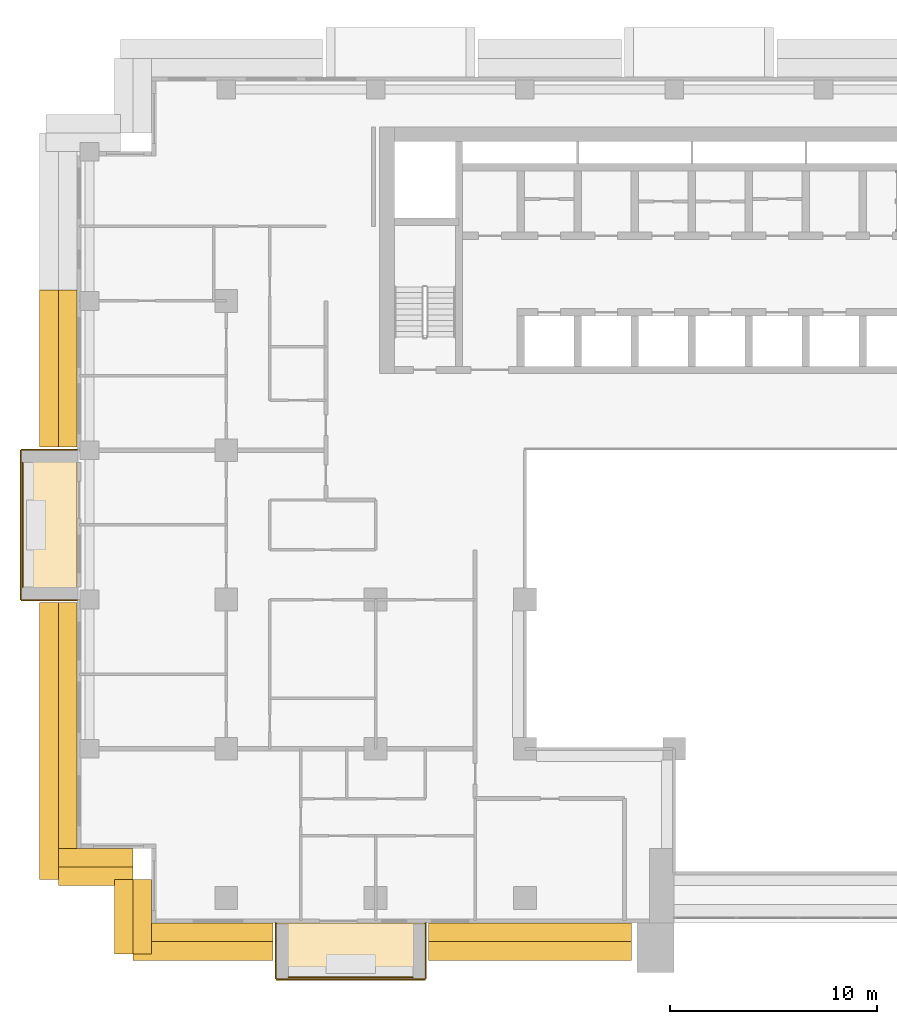
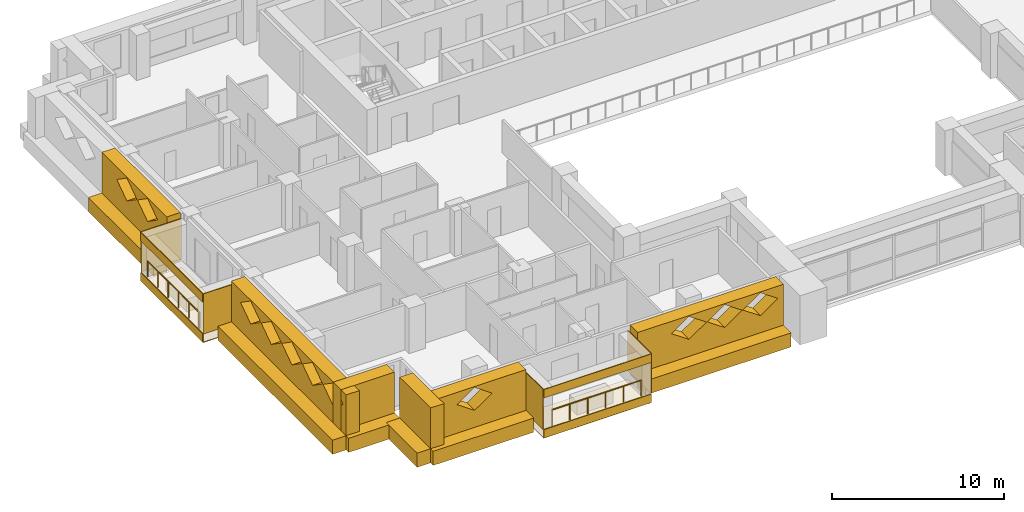
# One storey, part 13 of 19: 22 coverings, 2 railings.
"""IFC4 building model written with IfcOpenShell, lengths in metres."""

from ifc_helpers import new_model, si_unit, direction, frame, origin, origin_2d, place, context, subcontext, project, spatial, polyline, circle, outline, extrude, material, layer, layer_set, type_object, element, save


model = new_model("IFC4")

# Units and contexts
model_context = context("Model", 3, precision=1e-05, world=origin(), true_north=direction((0.0, 1.0)))
body_context = subcontext(model_context, "Body", "Model", "MODEL_VIEW")
ifc_project = project(units=[si_unit("LENGTHUNIT", "METRE"), si_unit("AREAUNIT", "SQUARE_METRE"), si_unit("VOLUMEUNIT", "CUBIC_METRE"), si_unit("PLANEANGLEUNIT", "RADIAN"), si_unit("MASSUNIT", "GRAM", prefix="KILO")], contexts=[model_context])

# Site, building, storey
site_placement = place(None, origin())
site = spatial("IfcSite", under=ifc_project, at=site_placement, CompositionType="ELEMENT")
building_placement = place(site_placement, origin())
building = spatial("IfcBuilding", under=site, at=building_placement, Name="Saffron Iwan Residences", CompositionType="ELEMENT")
storey_placement = place(building_placement, frame((0.0, 0.0, 120.0)))
storey = spatial("IfcBuildingStorey", under=building, at=storey_placement, Name="L31", CompositionType="ELEMENT", Elevation=120.0)

# Railings
ifc_material_1 = material(Name="Stainless steel 316", Category="steel")
railing_type = type_object("IfcRailingType", Name="BALCONY GUARD 1150", PredefinedType="GUARDRAIL", material=ifc_material_1)
railing_1_placement = place(storey_placement, frame((11.77490234375, 61.800048828125, 0.0)))
element("IfcRailing", 1, at=railing_1_placement, inside=storey, type_object=railing_type, Name="Balcony guard L31 F8-0", PredefinedType="GUARDRAIL", context=body_context, shape_type="SweptSolid", body=[
    extrude(circle(Radius=0.02392578125, at=origin_2d()), frame((0.0, 0.0, 1.1259765625), z_axis=(0.0, -1.0, 0.0), x_axis=(1.0, 0.0, 0.0)), (0.0, 0.0, 1.0), 6.0),
    extrude(circle(Radius=0.02099609375, at=origin_2d()), origin(), (0.0, 0.0, 1.0), 1.101806640625),
    extrude(circle(Radius=0.02099609375, at=origin_2d()), frame((0.0, -1.199951171875, 0.0)), (0.0, 0.0, 1.0), 1.101806640625),
    extrude(circle(Radius=0.02099609375, at=origin_2d()), frame((0.0, -2.39990234375, 0.0)), (0.0, 0.0, 1.0), 1.101806640625),
    extrude(circle(Radius=0.02099609375, at=origin_2d()), frame((0.0, -3.60009765625, 0.0)), (0.0, 0.0, 1.0), 1.101806640625),
    extrude(circle(Radius=0.02099609375, at=origin_2d()), frame((0.0, -4.800048828125, 0.0)), (0.0, 0.0, 1.0), 1.101806640625),
    extrude(circle(Radius=0.02099609375, at=origin_2d()), frame((0.0, -6.0, 0.0)), (0.0, 0.0, 1.0), 1.101806640625),
])
railing_2_placement = place(storey_placement, frame((24.60009765625, 36.97509765625, 0.0)))
element("IfcRailing", 2, at=railing_2_placement, inside=storey, type_object=railing_type, Name="Balcony guard L31 11-0", PredefinedType="GUARDRAIL", context=body_context, shape_type="SweptSolid", body=[
    extrude(circle(Radius=0.02392578125, at=origin_2d()), frame((0.0, 0.0, 1.1259765625), z_axis=(1.0, 0.0, 0.0), x_axis=(0.0, 1.0, 0.0)), (0.0, 0.0, 1.0), 6.0),
    extrude(circle(Radius=0.02099609375, at=origin_2d()), origin(), (0.0, 0.0, 1.0), 1.101806640625),
    extrude(circle(Radius=0.02099609375, at=origin_2d()), frame((1.199951171875, 0.0, 0.0)), (0.0, 0.0, 1.0), 1.101806640625),
    extrude(circle(Radius=0.02099609375, at=origin_2d()), frame((2.39990234375, 0.0, 0.0)), (0.0, 0.0, 1.0), 1.101806640625),
    extrude(circle(Radius=0.02099609375, at=origin_2d()), frame((3.60009765625, 0.0, 0.0)), (0.0, 0.0, 1.0), 1.101806640625),
    extrude(circle(Radius=0.02099609375, at=origin_2d()), frame((4.800048828125, 0.0, 0.0)), (0.0, 0.0, 1.0), 1.101806640625),
    extrude(circle(Radius=0.02099609375, at=origin_2d()), frame((6.0, 0.0, 0.0)), (0.0, 0.0, 1.0), 1.101806640625),
])

# Coverings
ifc_material_2 = material(Name="Precast concrete C40/50 white painted", Category="concrete")
ifc_layer_1 = layer(ifc_material_2, 0.050048828125)
ifc_layer_set_1 = layer_set([ifc_layer_1], Name="Precast concrete C40/50 white painted")
covering_type_1 = type_object("IfcCoveringType", Name="FRAME SKIN PRECAST WHITE 50", PredefinedType="CLADDING", material=ifc_layer_set_1)
for number, where, name in (
    (3, (0.0, 0.0, -0.60009765625), "Frame skin slab edge L31 F8-0"),
    (4, (0.0, 0.0, 2.25), "Frame skin fascia L31 F8-0"),
):
    element("IfcCovering", number, at=place(storey_placement, frame(where)), inside=storey, type_object=covering_type_1, Name=name, PredefinedType="CLADDING", context=body_context, shape_type="SweptSolid", body=[
        extrude(outline(polyline([(11.64990234375, 62.39990234375), (11.64990234375, 55.199951171875), (11.699951171875, 55.199951171875), (11.699951171875, 62.39990234375), (11.64990234375, 62.39990234375)])), origin(), (0.0, 0.0, 1.0), 0.60009765625),
    ])
covering_1_placement = place(storey_placement, frame((0.0, 0.0, -0.64990234375)))
element("IfcCovering", 5, at=covering_1_placement, inside=storey, type_object=covering_type_1, Name="Frame skin soffit L31 F8-0", PredefinedType="CLADDING", context=body_context, shape_type="SweptSolid", body=[
    extrude(outline(polyline([(11.699951171875, 62.39990234375), (11.699951171875, 55.199951171875), (14.39990234375, 55.199951171875), (14.39990234375, 62.39990234375), (11.699951171875, 62.39990234375)])), origin(), (0.0, 0.0, 1.0), 0.0498046875),
])
covering_2_placement = place(storey_placement, origin())
element("IfcCovering", 6, at=covering_2_placement, inside=storey, type_object=covering_type_1, Name="Frame skin fin L31 F8-0a", PredefinedType="CLADDING", context=body_context, shape_type="SweptSolid", body=[
    extrude(outline(polyline([(11.699951171875, 62.449951171875), (11.699951171875, 62.39990234375), (14.39990234375, 62.39990234375), (14.39990234375, 62.449951171875), (11.699951171875, 62.449951171875)])), origin(), (0.0, 0.0, 1.0), 2.85009765625),
])
covering_3_placement = place(storey_placement, origin())
element("IfcCovering", 7, at=covering_3_placement, inside=storey, type_object=covering_type_1, Name="Frame skin fin L31 F8-0b", PredefinedType="CLADDING", context=body_context, shape_type="SweptSolid", body=[
    extrude(outline(polyline([(11.699951171875, 55.199951171875), (11.699951171875, 55.14990234375), (14.39990234375, 55.14990234375), (14.39990234375, 55.199951171875), (11.699951171875, 55.199951171875)])), origin(), (0.0, 0.0, 1.0), 2.85009765625),
])
for number, where, name in (
    (8, (0.0, 0.0, -0.60009765625), "Frame skin slab edge L31 11-0"),
    (9, (0.0, 0.0, 2.25), "Frame skin fascia L31 11-0"),
):
    element("IfcCovering", number, at=place(storey_placement, frame(where)), inside=storey, type_object=covering_type_1, Name=name, PredefinedType="CLADDING", context=body_context, shape_type="SweptSolid", body=[
        extrude(outline(polyline([(24.0, 36.85009765625), (31.199951171875, 36.85009765625), (31.199951171875, 36.89990234375), (24.0, 36.89990234375), (24.0, 36.85009765625)])), origin(), (0.0, 0.0, 1.0), 0.60009765625),
    ])
covering_4_placement = place(storey_placement, frame((0.0, 0.0, -0.64990234375)))
element("IfcCovering", 10, at=covering_4_placement, inside=storey, type_object=covering_type_1, Name="Frame skin soffit L31 11-0", PredefinedType="CLADDING", context=body_context, shape_type="SweptSolid", body=[
    extrude(outline(polyline([(24.0, 36.89990234375), (31.199951171875, 36.89990234375), (31.199951171875, 39.60009765625), (24.0, 39.60009765625), (24.0, 36.89990234375)])), origin(), (0.0, 0.0, 1.0), 0.0498046875),
])
covering_5_placement = place(storey_placement, origin())
element("IfcCovering", 11, at=covering_5_placement, inside=storey, type_object=covering_type_1, Name="Frame skin fin L31 11-0a", PredefinedType="CLADDING", context=body_context, shape_type="SweptSolid", body=[
    extrude(outline(polyline([(23.949951171875, 36.89990234375), (24.0, 36.89990234375), (24.0, 39.60009765625), (23.949951171875, 39.60009765625), (23.949951171875, 36.89990234375)])), origin(), (0.0, 0.0, 1.0), 2.85009765625),
])
covering_6_placement = place(storey_placement, origin())
element("IfcCovering", 12, at=covering_6_placement, inside=storey, type_object=covering_type_1, Name="Frame skin fin L31 11-0b", PredefinedType="CLADDING", context=body_context, shape_type="SweptSolid", body=[
    extrude(outline(polyline([(31.199951171875, 36.89990234375), (31.25, 36.89990234375), (31.25, 39.60009765625), (31.199951171875, 39.60009765625), (31.199951171875, 36.89990234375)])), origin(), (0.0, 0.0, 1.0), 2.85009765625),
])
ifc_material_3 = material(Name="Precast concrete C40/50", Category="concrete")
covering_type_2 = type_object("IfcCoveringType", Name="OUTER SKIN LATTICE SCREEN", PredefinedType="CLADDING", material=ifc_material_3)
covering_7_placement = place(storey_placement, frame((14.39990234375, 70.125, -0.300048828125), z_axis=(-1.0, 0.0, 0.0), x_axis=(0.0, -1.0, 0.0)))
element("IfcCovering", 13, at=covering_7_placement, inside=storey, type_object=covering_type_2, Name="OUTER SKIN lattice screen L31 F8.1", PredefinedType="CLADDING", context=body_context, shape_type="SweptSolid", body=[
    extrude(outline(polyline([(0.0, 0.0), (7.574951171875, 0.0), (7.574951171875, 3.5), (0.0, 3.5), (0.0, 0.0)]), holes=[polyline([(1.7451171875, 2.625), (2.925048828125, 1.81005859375), (4.10498046875, 2.625), (2.925048828125, 3.43994140625), (1.7451171875, 2.625)]), polyline([(4.14501953125, 2.625), (5.324951171875, 1.81005859375), (6.5048828125, 2.625), (5.324951171875, 3.43994140625), (4.14501953125, 2.625)])]), origin(), (0.0, 0.0, 1.0), 0.89990234375),
])
covering_8_placement = place(storey_placement, frame((14.39990234375, 55.050048828125, -0.300048828125), z_axis=(-1.0, 0.0, 0.0), x_axis=(0.0, -1.0, 0.0)))
element("IfcCovering", 14, at=covering_8_placement, inside=storey, type_object=covering_type_2, Name="OUTER SKIN lattice screen L31 F8.2", PredefinedType="CLADDING", context=body_context, shape_type="SweptSolid", body=[
    extrude(outline(polyline([(0.0, 0.0), (13.35009765625, 0.0), (13.35009765625, 3.5), (0.0, 3.5), (0.0, 0.0)]), holes=[polyline([(1.070068359375, 2.625), (2.25, 1.81005859375), (3.429931640625, 2.625), (2.25, 3.43994140625), (1.070068359375, 2.625)]), polyline([(3.469970703125, 2.625), (4.64990234375, 1.81005859375), (5.830078125, 2.625), (4.64990234375, 3.43994140625), (3.469970703125, 2.625)]), polyline([(5.8701171875, 2.625), (7.050048828125, 1.81005859375), (8.22998046875, 2.625), (7.050048828125, 3.43994140625), (5.8701171875, 2.625)]), polyline([(8.27001953125, 2.625), (9.449951171875, 1.81005859375), (10.6298828125, 2.625), (9.449951171875, 3.43994140625), (8.27001953125, 2.625)]), polyline([(10.669921875, 2.625), (11.85009765625, 1.81005859375), (13.030029296875, 2.625), (11.85009765625, 3.43994140625), (10.669921875, 2.625)])]), origin(), (0.0, 0.0, 1.0), 0.89990234375),
])
for number, where, z_axis, x_axis, name in (
    (15, (13.5, 43.199951171875, -0.300048828125), (0.0, -1.0, 0.0), (1.0, 0.0, 0.0), "OUTER SKIN lattice screen L31 F9.0"),
    (16, (18.0, 41.699951171875, -0.300048828125), (-1.0, 0.0, 0.0), (0.0, -1.0, 0.0), "OUTER SKIN lattice screen L31 F10.0"),
):
    element("IfcCovering", number, at=place(storey_placement, frame(where, z_axis=z_axis, x_axis=x_axis)), inside=storey, type_object=covering_type_2, Name=name, PredefinedType="CLADDING", context=body_context, shape_type="SweptSolid", body=[
        extrude(outline(polyline([(0.0, 0.0), (3.60009765625, 0.0), (3.60009765625, 3.5), (0.0, 3.5), (0.0, 0.0)])), origin(), (0.0, 0.0, 1.0), 0.89990234375),
    ])
covering_9_placement = place(storey_placement, frame((17.10009765625, 39.60009765625, -0.300048828125), z_axis=(0.0, -1.0, 0.0), x_axis=(1.0, 0.0, 0.0)))
element("IfcCovering", 17, at=covering_9_placement, inside=storey, type_object=covering_type_2, Name="OUTER SKIN lattice screen L31 F11.0", PredefinedType="CLADDING", context=body_context, shape_type="SweptSolid", body=[
    extrude(outline(polyline([(0.0, 0.0), (6.75, 0.0), (6.75, 3.5), (0.0, 3.5), (0.0, 0.0)]), holes=[polyline([(2.1201171875, 2.625), (3.300048828125, 1.81005859375), (4.47998046875, 2.625), (3.300048828125, 3.43994140625), (2.1201171875, 2.625)])]), origin(), (0.0, 0.0, 1.0), 0.900146484375),
])
covering_10_placement = place(storey_placement, frame((31.35009765625, 39.60009765625, -0.300048828125), z_axis=(0.0, -1.0, 0.0), x_axis=(1.0, 0.0, 0.0)))
element("IfcCovering", 18, at=covering_10_placement, inside=storey, type_object=covering_type_2, Name="OUTER SKIN lattice screen L31 F11.1", PredefinedType="CLADDING", context=body_context, shape_type="SweptSolid", body=[
    extrude(outline(polyline([(0.0, 0.0), (9.800048828125, 0.0), (9.800048828125, 3.5), (0.0, 3.5), (0.0, 0.0)]), holes=[polyline([(2.27001953125, 2.625), (3.449951171875, 1.81005859375), (4.6298828125, 2.625), (3.449951171875, 3.43994140625), (2.27001953125, 2.625)]), polyline([(4.669921875, 2.625), (5.85009765625, 1.81005859375), (7.030029296875, 2.625), (5.85009765625, 3.43994140625), (4.669921875, 2.625)]), polyline([(7.070068359375, 2.625), (8.25, 1.81005859375), (9.429931640625, 2.625), (8.25, 3.43994140625), (7.070068359375, 2.625)])]), origin(), (0.0, 0.0, 1.0), 0.900146484375),
])
ifc_layer_2 = layer(ifc_material_2, 0.89990234375)
ifc_layer_set_2 = layer_set([ifc_layer_2], Name="Precast concrete C40/50 white painted")
covering_type_3 = type_object("IfcCoveringType", Name="WHITE EDGE BAND 900 x 1000", PredefinedType="CLADDING", material=ifc_layer_set_2)
covering_11_placement = place(storey_placement, frame((0.0, 0.0, -0.699951171875)))
element("IfcCovering", 19, at=covering_11_placement, inside=storey, type_object=covering_type_3, Name="White edge band L31 F8.1", PredefinedType="CLADDING", context=body_context, shape_type="SweptSolid", body=[
    extrude(outline(polyline([(12.60009765625, 70.125), (12.60009765625, 62.550048828125), (13.5, 62.550048828125), (13.5, 70.125), (12.60009765625, 70.125)])), origin(), (0.0, 0.0, 1.0), 1.0),
])
covering_12_placement = place(storey_placement, frame((0.0, 0.0, -0.699951171875)))
element("IfcCovering", 20, at=covering_12_placement, inside=storey, type_object=covering_type_3, Name="White edge band L31 F8.2", PredefinedType="CLADDING", context=body_context, shape_type="SweptSolid", body=[
    extrude(outline(polyline([(12.60009765625, 55.050048828125), (12.60009765625, 41.699951171875), (13.5, 41.699951171875), (13.5, 55.050048828125), (12.60009765625, 55.050048828125)])), origin(), (0.0, 0.0, 1.0), 1.0),
])
covering_13_placement = place(storey_placement, frame((0.0, 0.0, -0.699951171875)))
element("IfcCovering", 21, at=covering_13_placement, inside=storey, type_object=covering_type_3, Name="White edge band L31 F9.0", PredefinedType="CLADDING", context=body_context, shape_type="SweptSolid", body=[
    extrude(outline(polyline([(13.5, 41.39990234375), (17.10009765625, 41.39990234375), (17.10009765625, 42.300048828125), (13.5, 42.300048828125), (13.5, 41.39990234375)])), origin(), (0.0, 0.0, 1.0), 1.0),
])
covering_14_placement = place(storey_placement, frame((0.0, 0.0, -0.699951171875)))
element("IfcCovering", 22, at=covering_14_placement, inside=storey, type_object=covering_type_3, Name="White edge band L31 F10.0", PredefinedType="CLADDING", context=body_context, shape_type="SweptSolid", body=[
    extrude(outline(polyline([(16.199951171875, 41.699951171875), (16.199951171875, 38.10009765625), (17.10009765625, 38.10009765625), (17.10009765625, 41.699951171875), (16.199951171875, 41.699951171875)])), origin(), (0.0, 0.0, 1.0), 1.0),
])
covering_15_placement = place(storey_placement, frame((0.0, 0.0, -0.699951171875)))
element("IfcCovering", 23, at=covering_15_placement, inside=storey, type_object=covering_type_3, Name="White edge band L31 F11.0", PredefinedType="CLADDING", context=body_context, shape_type="SweptSolid", body=[
    extrude(outline(polyline([(17.10009765625, 37.800048828125), (23.85009765625, 37.800048828125), (23.85009765625, 38.699951171875), (17.10009765625, 38.699951171875), (17.10009765625, 37.800048828125)])), origin(), (0.0, 0.0, 1.0), 1.0),
])
covering_16_placement = place(storey_placement, frame((0.0, 0.0, -0.699951171875)))
element("IfcCovering", 24, at=covering_16_placement, inside=storey, type_object=covering_type_3, Name="White edge band L31 F11.1", PredefinedType="CLADDING", context=body_context, shape_type="SweptSolid", body=[
    extrude(outline(polyline([(31.35009765625, 37.800048828125), (41.14990234375, 37.800048828125), (41.14990234375, 38.699951171875), (31.35009765625, 38.699951171875), (31.35009765625, 37.800048828125)])), origin(), (0.0, 0.0, 1.0), 1.0),
])

save(model, "model.ifc")
